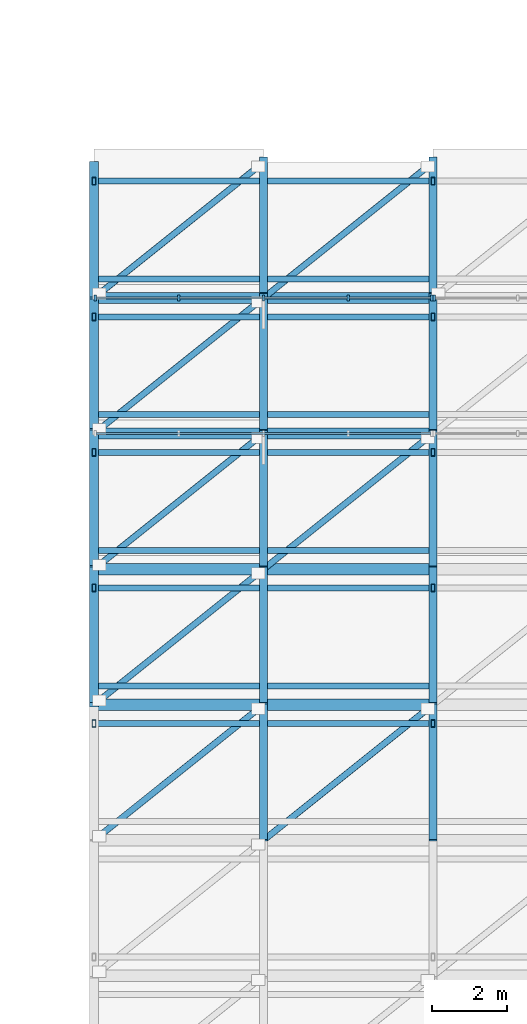
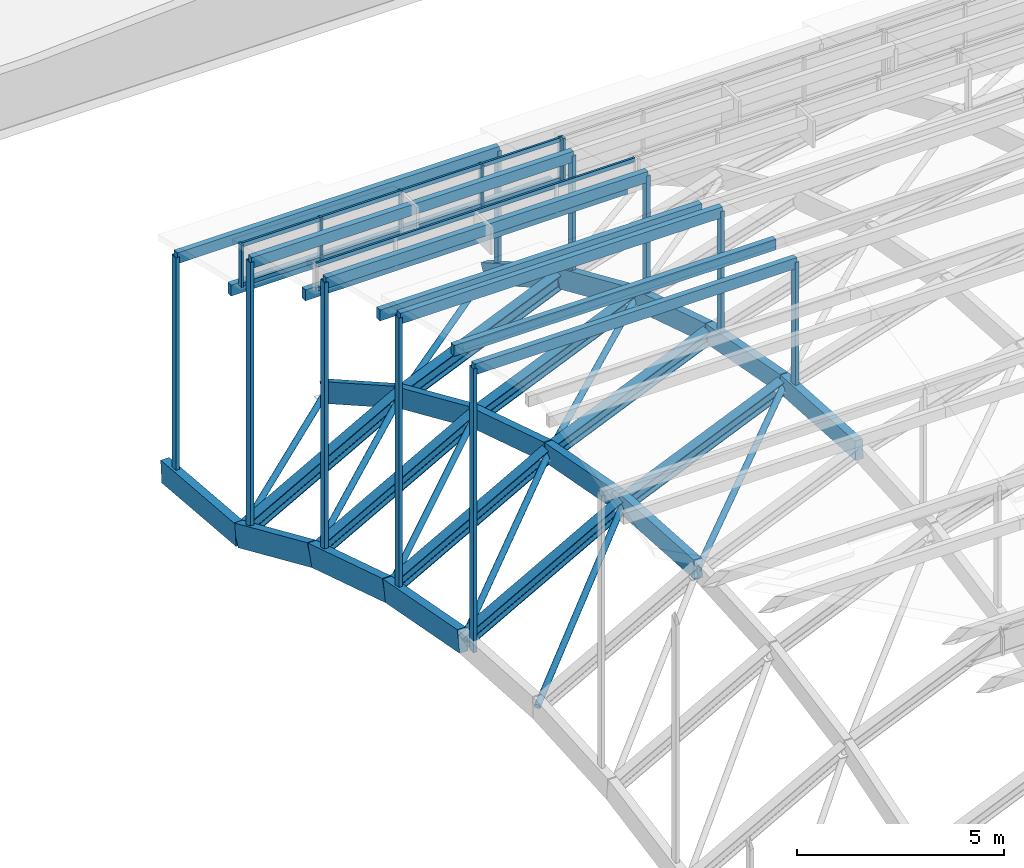
# One storey, part 27 of 69: 37 members, 22 beams, 3 elements without a shape of their own.
"""IFC4 building model written with IfcOpenShell, lengths in metres."""

from ifc_helpers import new_model, si_unit, direction, frame, origin, origin_2d, place, context, subcontext, project, spatial, rectangle, hollow_rectangle, hollow_circle, i_section, extrude, material, layer, layer_set, material_profile, profile_set, type_object, element, aggregate, save


model = new_model("IFC4")

# Units and contexts
model_context = context("Model", 3, precision=1e-05, world=origin(), true_north=direction((0.0, 1.0)))
body_context = subcontext(model_context, "Body", "Model", "MODEL_VIEW")
ifc_project = project(units=[si_unit("LENGTHUNIT", "METRE"), si_unit("AREAUNIT", "SQUARE_METRE"), si_unit("VOLUMEUNIT", "CUBIC_METRE"), si_unit("PLANEANGLEUNIT", "RADIAN"), si_unit("MASSUNIT", "GRAM", prefix="KILO")], contexts=[model_context])

# Site, building, storey
site_placement = place(None, origin())
site = spatial("IfcSite", under=ifc_project, at=site_placement, CompositionType="ELEMENT")
building_placement = place(site_placement, origin())
building = spatial("IfcBuilding", under=site, at=building_placement, Name="Montealbar Specialist Clinic", CompositionType="ELEMENT")
storey_placement = place(building_placement, frame((0.0, 0.0, 9.60009765625)))
storey = spatial("IfcBuildingStorey", under=building, at=storey_placement, Name="L02", CompositionType="ELEMENT", Elevation=9.60009765625)

# Beams
ifc_material_1 = material(Name="Steel S355", Category="steel")
ifc_material_profile_1 = material_profile(ifc_material_1, i_section(OverallWidth=0.300048828125, OverallDepth=0.360107421875, WebThickness=0.012451171875, FlangeThickness=0.0224609375, FilletRadius=0.027099609375, at=origin_2d()), Name="HEB 360", Category="steel")
ifc_profile_set_1 = profile_set([ifc_material_profile_1], Name="Steel S355")
beam_type_1 = type_object("IfcBeamType", Name="BM-GIRD-HEB360-EXT", PredefinedType="BEAM", material=ifc_profile_set_1)
beam_1_placement = place(storey_placement, frame((54.0, 66.60009765625, 4.02294921875), z_axis=(0.874579956814, 0.0, 0.484881324799), x_axis=(0.0, 1.0, 0.0)))
element("IfcBeam", 1, at=beam_1_placement, inside=storey, type_object=beam_type_1, Name="Gridshell Roof Truss Arch Rib X 6-0", PredefinedType="BEAM", context=body_context, shape_type="SweptSolid", body=[
    extrude(i_section(OverallWidth=0.300048828125, OverallDepth=0.360107421875, WebThickness=0.012451171875, FlangeThickness=0.0224609375, FilletRadius=0.027099609375, at=origin_2d()), origin(), (0.0, 0.0, 1.0), 5.145263671875),
])
beam_2_placement = place(storey_placement, frame((58.5, 66.60009765625, 6.517822265625), z_axis=(0.918284740285, 0.0, 0.395920618004), x_axis=(0.0, 1.0, 0.0)))
element("IfcBeam", 2, at=beam_2_placement, inside=storey, type_object=beam_type_1, Name="Gridshell Roof Truss Arch Rib X 6-1", PredefinedType="BEAM", context=body_context, shape_type="SweptSolid", body=[
    extrude(i_section(OverallWidth=0.300048828125, OverallDepth=0.360107421875, WebThickness=0.012451171875, FlangeThickness=0.0224609375, FilletRadius=0.027099609375, at=origin_2d()), origin(), (0.0, 0.0, 1.0), 4.900390625),
])
beam_3_placement = place(storey_placement, frame((54.0, 70.199951171875, 3.343017578125), z_axis=(0.874579956814, 0.0, 0.484881324799), x_axis=(0.0, 1.0, 0.0)))
element("IfcBeam", 3, at=beam_3_placement, inside=storey, type_object=beam_type_1, Name="Gridshell Roof Truss Arch Rib X 7-0", PredefinedType="BEAM", context=body_context, shape_type="SweptSolid", body=[
    extrude(i_section(OverallWidth=0.300048828125, OverallDepth=0.360107421875, WebThickness=0.012451171875, FlangeThickness=0.0224609375, FilletRadius=0.027099609375, at=origin_2d()), origin(), (0.0, 0.0, 1.0), 5.145263671875),
])
beam_4_placement = place(storey_placement, frame((58.5, 70.199951171875, 5.837890625), z_axis=(0.918302852681, 0.0, 0.395878606087), x_axis=(0.0, 1.0, 0.0)))
element("IfcBeam", 4, at=beam_4_placement, inside=storey, type_object=beam_type_1, Name="Gridshell Roof Truss Arch Rib X 7-1", PredefinedType="BEAM", context=body_context, shape_type="SweptSolid", body=[
    extrude(i_section(OverallWidth=0.300048828125, OverallDepth=0.360107421875, WebThickness=0.012451171875, FlangeThickness=0.0224609375, FilletRadius=0.027099609375, at=origin_2d()), origin(), (0.0, 0.0, 1.0), 4.900390625),
])
beam_5_placement = place(storey_placement, frame((54.0, 73.800048828125, 2.208984375), z_axis=(0.874579956814, 0.0, 0.484881324799), x_axis=(0.0, 1.0, 0.0)))
element("IfcBeam", 5, at=beam_5_placement, inside=storey, type_object=beam_type_1, Name="Gridshell Roof Truss Arch Rib X 8-0", PredefinedType="BEAM", context=body_context, shape_type="SweptSolid", body=[
    extrude(i_section(OverallWidth=0.300048828125, OverallDepth=0.360107421875, WebThickness=0.012451171875, FlangeThickness=0.0224609375, FilletRadius=0.027099609375, at=origin_2d()), origin(), (0.0, 0.0, 1.0), 5.145263671875),
])
beam_6_placement = place(storey_placement, frame((58.5, 73.800048828125, 4.703857421875), z_axis=(0.918302852681, 0.0, 0.395878606087), x_axis=(0.0, 1.0, 0.0)))
element("IfcBeam", 6, at=beam_6_placement, inside=storey, type_object=beam_type_1, Name="Gridshell Roof Truss Arch Rib X 8-1", PredefinedType="BEAM", context=body_context, shape_type="SweptSolid", body=[
    extrude(i_section(OverallWidth=0.300048828125, OverallDepth=0.360107421875, WebThickness=0.012451171875, FlangeThickness=0.0224609375, FilletRadius=0.027099609375, at=origin_2d()), origin(), (0.0, 0.0, 1.0), 4.900390625),
])
ifc_material_profile_2 = material_profile(ifc_material_1, i_section(OverallWidth=0.300048828125, OverallDepth=0.39990234375, WebThickness=0.013427734375, FlangeThickness=0.02392578125, FilletRadius=0.027099609375, at=origin_2d()), Name="HEB 400", Category="steel")
ifc_profile_set_2 = profile_set([ifc_material_profile_2], Name="Steel S355")
beam_type_2 = type_object("IfcBeamType", Name="BM-GIRD-HEB400-EXT", PredefinedType="BEAM", material=ifc_profile_set_2)
beam_7_placement = place(storey_placement, frame((54.0, 77.39990234375, 0.620849609375), z_axis=(0.874559834946, 0.0, 0.484917616816), x_axis=(0.0, 1.0, 0.0)))
element("IfcBeam", 7, at=beam_7_placement, inside=storey, type_object=beam_type_2, Name="Gridshell Roof Truss Arch Rib X 9-0", PredefinedType="BEAM", context=body_context, shape_type="SweptSolid", body=[
    extrude(i_section(OverallWidth=0.300048828125, OverallDepth=0.39990234375, WebThickness=0.013427734375, FlangeThickness=0.02392578125, FilletRadius=0.027099609375, at=origin_2d()), origin(), (0.0, 0.0, 1.0), 5.1455078125),
])
beam_8_placement = place(storey_placement, frame((58.5, 77.39990234375, 3.115966796875), z_axis=(0.918302852681, 0.0, 0.395878606087), x_axis=(0.0, 1.0, 0.0)))
element("IfcBeam", 8, at=beam_8_placement, inside=storey, type_object=beam_type_2, Name="Gridshell Roof Truss Arch Rib X 9-1", PredefinedType="BEAM", context=body_context, shape_type="SweptSolid", body=[
    extrude(i_section(OverallWidth=0.300048828125, OverallDepth=0.39990234375, WebThickness=0.013427734375, FlangeThickness=0.02392578125, FilletRadius=0.027099609375, at=origin_2d()), origin(), (0.0, 0.0, 1.0), 4.900390625),
])
ifc_material_2 = material(Name="Glulam GL28h", Category="wood")
ifc_material_profile_3 = material_profile(ifc_material_2, rectangle(XDim=0.219970703125, YDim=0.56005859375, at=origin_2d()), Name="GL28h 220x560", Category="wood")
ifc_profile_set_3 = profile_set([ifc_material_profile_3], Name="Glulam GL28h")
beam_type_3 = type_object("IfcBeamType", Name="BM-GL-220x560-EXT", PredefinedType="BEAM", material=ifc_profile_set_3)
beam_9_placement = place(storey_placement, frame((58.5, 63.0, 6.744873046875), z_axis=(0.0, 0.998017130092, -0.062942895089), x_axis=(-1.0, 0.0, 0.0)))
element("IfcBeam", 9, at=beam_9_placement, inside=storey, type_object=beam_type_3, Name="Gridshell Glulam Roof Truss Rib Y 1-5", PredefinedType="BEAM", context=body_context, shape_type="SweptSolid", body=[
    extrude(rectangle(XDim=0.219970703125, YDim=0.56005859375, at=origin_2d()), origin(), (0.0, 0.0, 1.0), 3.607177734375),
])
beam_10_placement = place(storey_placement, frame((58.5, 66.60009765625, 6.517822265625), z_axis=(0.0, 0.982626127294, -0.185596050493), x_axis=(-1.0, 0.0, 0.0)))
element("IfcBeam", 10, at=beam_10_placement, inside=storey, type_object=beam_type_3, Name="Gridshell Glulam Roof Truss Rib Y 1-6", PredefinedType="BEAM", context=body_context, shape_type="SweptSolid", body=[
    extrude(rectangle(XDim=0.219970703125, YDim=0.56005859375, at=origin_2d()), origin(), (0.0, 0.0, 1.0), 3.66357421875),
])
beam_11_placement = place(storey_placement, frame((58.5, 70.199951171875, 5.837890625), z_axis=(0.0, 0.953798460342, -0.300447161826), x_axis=(-1.0, 0.0, 0.0)))
element("IfcBeam", 11, at=beam_11_placement, inside=storey, type_object=beam_type_3, Name="Gridshell Glulam Roof Truss Rib Y 1-7", PredefinedType="BEAM", context=body_context, shape_type="SweptSolid", body=[
    extrude(rectangle(XDim=0.219970703125, YDim=0.56005859375, at=origin_2d()), origin(), (0.0, 0.0, 1.0), 3.7744140625),
])
beam_12_placement = place(storey_placement, frame((58.5, 73.800048828125, 4.703857421875), z_axis=(0.0, 0.914944084874, -0.403580625841), x_axis=(-1.0, 0.0, 0.0)))
element("IfcBeam", 12, at=beam_12_placement, inside=storey, type_object=beam_type_3, Name="Gridshell Glulam Roof Truss Rib Y 1-8", PredefinedType="BEAM", context=body_context, shape_type="SweptSolid", body=[
    extrude(rectangle(XDim=0.219970703125, YDim=0.56005859375, at=origin_2d()), origin(), (0.0, 0.0, 1.0), 3.9345703125),
])
beam_13_placement = place(storey_placement, frame((58.5, 77.39990234375, 3.115966796875), z_axis=(0.0, 0.869922637782, -0.493188203706), x_axis=(-1.0, 0.0, 0.0)))
element("IfcBeam", 13, at=beam_13_placement, inside=storey, type_object=beam_type_3, Name="Gridshell Glulam Roof Truss Rib Y 1-9", PredefinedType="BEAM", context=body_context, shape_type="SweptSolid", body=[
    extrude(rectangle(XDim=0.219970703125, YDim=0.56005859375, at=origin_2d()), origin(), (0.0, 0.0, 1.0), 4.138427734375),
])
beam_14_placement = place(storey_placement, frame((63.0, 63.0, 8.684814453125), z_axis=(0.0, 0.998021379395, -0.062875482264), x_axis=(-1.0, 0.0, 0.0)))
element("IfcBeam", 14, at=beam_14_placement, inside=storey, type_object=beam_type_3, Name="Gridshell Glulam Roof Truss Rib Y 2-5", PredefinedType="BEAM", context=body_context, shape_type="SweptSolid", body=[
    extrude(rectangle(XDim=0.219970703125, YDim=0.56005859375, at=origin_2d()), origin(), (0.0, 0.0, 1.0), 3.607177734375),
])
beam_15_placement = place(storey_placement, frame((63.0, 66.60009765625, 8.4580078125), z_axis=(0.0, 0.98261397186, -0.18566039509), x_axis=(-1.0, 0.0, 0.0)))
element("IfcBeam", 15, at=beam_15_placement, inside=storey, type_object=beam_type_3, Name="Gridshell Glulam Roof Truss Rib Y 2-6", PredefinedType="BEAM", context=body_context, shape_type="SweptSolid", body=[
    extrude(rectangle(XDim=0.219970703125, YDim=0.56005859375, at=origin_2d()), origin(), (0.0, 0.0, 1.0), 3.66357421875),
])
beam_16_placement = place(storey_placement, frame((63.0, 70.199951171875, 7.77783203125), z_axis=(0.0, 0.953798460342, -0.300447161826), x_axis=(-1.0, 0.0, 0.0)))
element("IfcBeam", 16, at=beam_16_placement, inside=storey, type_object=beam_type_3, Name="Gridshell Glulam Roof Truss Rib Y 2-7", PredefinedType="BEAM", context=body_context, shape_type="SweptSolid", body=[
    extrude(rectangle(XDim=0.219970703125, YDim=0.56005859375, at=origin_2d()), origin(), (0.0, 0.0, 1.0), 3.7744140625),
])
beam_17_placement = place(storey_placement, frame((63.0, 73.800048828125, 6.643798828125), z_axis=(0.0, 0.914944084874, -0.403580625841), x_axis=(-1.0, 0.0, 0.0)))
element("IfcBeam", 17, at=beam_17_placement, inside=storey, type_object=beam_type_3, Name="Gridshell Glulam Roof Truss Rib Y 2-8", PredefinedType="BEAM", context=body_context, shape_type="SweptSolid", body=[
    extrude(rectangle(XDim=0.219970703125, YDim=0.56005859375, at=origin_2d()), origin(), (0.0, 0.0, 1.0), 3.9345703125),
])
beam_18_placement = place(storey_placement, frame((63.0, 77.39990234375, 5.055908203125), z_axis=(0.0, 0.869922637782, -0.493188203706), x_axis=(-1.0, 0.0, 0.0)))
element("IfcBeam", 18, at=beam_18_placement, inside=storey, type_object=beam_type_3, Name="Gridshell Glulam Roof Truss Rib Y 2-9", PredefinedType="BEAM", context=body_context, shape_type="SweptSolid", body=[
    extrude(rectangle(XDim=0.219970703125, YDim=0.56005859375, at=origin_2d()), origin(), (0.0, 0.0, 1.0), 4.138427734375),
])
ifc_material_profile_4 = material_profile(ifc_material_2, rectangle(XDim=0.239990234375, YDim=0.639892578125, at=origin_2d()), Name="GL28h 240x640", Category="wood")
ifc_profile_set_4 = profile_set([ifc_material_profile_4], Name="Glulam GL28h")
beam_type_4 = type_object("IfcBeamType", Name="BM-GL-240x640-EXT", PredefinedType="BEAM", material=ifc_profile_set_4)
beam_19_placement = place(storey_placement, frame((54.0, 66.60009765625, 4.02294921875), z_axis=(0.0, 0.982626127294, -0.185596050493), x_axis=(-1.0, 0.0, 0.0)))
element("IfcBeam", 19, at=beam_19_placement, inside=storey, type_object=beam_type_4, Name="Gridshell Glulam Roof Truss Rib Y 0-6", PredefinedType="BEAM", context=body_context, shape_type="SweptSolid", body=[
    extrude(rectangle(XDim=0.239990234375, YDim=0.639892578125, at=origin_2d()), origin(), (0.0, 0.0, 1.0), 3.66357421875),
])
beam_20_placement = place(storey_placement, frame((54.0, 70.199951171875, 3.343017578125), z_axis=(0.0, 0.953798460342, -0.300447161826), x_axis=(-1.0, 0.0, 0.0)))
element("IfcBeam", 20, at=beam_20_placement, inside=storey, type_object=beam_type_4, Name="Gridshell Glulam Roof Truss Rib Y 0-7", PredefinedType="BEAM", context=body_context, shape_type="SweptSolid", body=[
    extrude(rectangle(XDim=0.239990234375, YDim=0.639892578125, at=origin_2d()), origin(), (0.0, 0.0, 1.0), 3.7744140625),
])
beam_21_placement = place(storey_placement, frame((54.0, 73.800048828125, 2.208984375), z_axis=(0.0, 0.914921171359, -0.403632568307), x_axis=(-1.0, 0.0, 0.0)))
element("IfcBeam", 21, at=beam_21_placement, inside=storey, type_object=beam_type_4, Name="Gridshell Glulam Roof Truss Rib Y 0-8", PredefinedType="BEAM", context=body_context, shape_type="SweptSolid", body=[
    extrude(rectangle(XDim=0.239990234375, YDim=0.639892578125, at=origin_2d()), origin(), (0.0, 0.0, 1.0), 3.9345703125),
])
beam_22_placement = place(storey_placement, frame((54.0, 77.39990234375, 0.620849609375), z_axis=(0.0, 0.996522415849, -0.083325114522), x_axis=(-1.0, 0.0, 0.0)))
element("IfcBeam", 22, at=beam_22_placement, inside=storey, type_object=beam_type_4, Name="Gridshell Glulam Roof Truss Rib Y 0-9", PredefinedType="BEAM", context=body_context, shape_type="SweptSolid", body=[
    extrude(rectangle(XDim=0.239990234375, YDim=0.639892578125, at=origin_2d()), origin(), (0.0, 0.0, 1.0), 3.612548828125),
])

# Curtain wall, members
ifc_material_3 = material(Name="Low-E double glazing", Category="glass")
ifc_layer_1 = layer(ifc_material_3, 0.199951171875, Name="Low-E double glazing", Category="glass")
ifc_layer_set_1 = layer_set([ifc_layer_1], Name="Low-E double glazing")
curtain_wall_type_1 = type_object("IfcCurtainWallType", Name="CW-TYPE-47", PredefinedType="NOTDEFINED", material=ifc_layer_set_1)
curtain_wall_1_placement = place(storey_placement, origin())
curtain_wall_1 = element("IfcCurtainWall", 23, at=curtain_wall_1_placement, inside=storey, type_object=curtain_wall_type_1, Name="Unitised Curtain Wall CW-L02-540-774-630-774-175", PredefinedType="NOTDEFINED")
ifc_material_4 = material(Name="Anodised aluminium EN AW-6063", Category="aluminium")
ifc_material_profile_5 = material_profile(ifc_material_4, rectangle(XDim=0.06005859375, YDim=0.159912109375, at=origin_2d()), Name="ALU 60x160", Category="aluminium")
ifc_profile_set_5 = profile_set([ifc_material_profile_5], Name="Anodised aluminium EN AW-6063")
member_type_1 = type_object("IfcMemberType", Name="CW-MUL-160", PredefinedType="MULLION", material=ifc_profile_set_5)
member_1_placement = place(storey_placement, frame((54.034912109375, 77.39990234375, 7.933837890625), z_axis=(0.0, 0.0, 1.0), x_axis=(1.0, 0.0, 0.0)))
member_1 = element("IfcMember", 24, at=member_1_placement, type_object=member_type_1, Name="Curtain Wall Mullion CW-L02-540-774-630-774-175-00", PredefinedType="MULLION", context=body_context, shape_type="SweptSolid", body=[
    extrude(rectangle(XDim=0.06005859375, YDim=0.159912109375, at=origin_2d()), origin(), (0.0, 0.0, 1.0), 1.257080078125),
])
member_2_placement = place(storey_placement, frame((56.25, 77.39990234375, 7.933837890625), z_axis=(0.0, 0.0, 1.0), x_axis=(1.0, 0.0, 0.0)))
member_2 = element("IfcMember", 25, at=member_2_placement, type_object=member_type_1, Name="Curtain Wall Mullion CW-L02-540-774-630-774-175-01", PredefinedType="MULLION", context=body_context, shape_type="SweptSolid", body=[
    extrude(rectangle(XDim=0.06005859375, YDim=0.159912109375, at=origin_2d()), origin(), (0.0, 0.0, 1.0), 1.257080078125),
])
member_3_placement = place(storey_placement, frame((58.5, 77.39990234375, 7.933837890625), z_axis=(0.0, 0.0, 1.0), x_axis=(1.0, 0.0, 0.0)))
member_3 = element("IfcMember", 26, at=member_3_placement, type_object=member_type_1, Name="Curtain Wall Mullion CW-L02-540-774-630-774-175-02", PredefinedType="MULLION", context=body_context, shape_type="SweptSolid", body=[
    extrude(rectangle(XDim=0.06005859375, YDim=0.159912109375, at=origin_2d()), origin(), (0.0, 0.0, 1.0), 1.257080078125),
])
member_4_placement = place(storey_placement, frame((60.75, 77.39990234375, 7.933837890625), z_axis=(0.0, 0.0, 1.0), x_axis=(1.0, 0.0, 0.0)))
member_4 = element("IfcMember", 27, at=member_4_placement, type_object=member_type_1, Name="Curtain Wall Mullion CW-L02-540-774-630-774-175-03", PredefinedType="MULLION", context=body_context, shape_type="SweptSolid", body=[
    extrude(rectangle(XDim=0.06005859375, YDim=0.159912109375, at=origin_2d()), origin(), (0.0, 0.0, 1.0), 1.257080078125),
])
member_5_placement = place(storey_placement, frame((62.965087890625, 77.39990234375, 7.933837890625), z_axis=(0.0, 0.0, 1.0), x_axis=(1.0, 0.0, 0.0)))
member_5 = element("IfcMember", 28, at=member_5_placement, type_object=member_type_1, Name="Curtain Wall Mullion CW-L02-540-774-630-774-175-04", PredefinedType="MULLION", context=body_context, shape_type="SweptSolid", body=[
    extrude(rectangle(XDim=0.06005859375, YDim=0.159912109375, at=origin_2d()), origin(), (0.0, 0.0, 1.0), 1.257080078125),
])

# Curtain wall, member
curtain_wall_2_placement = place(storey_placement, origin())
curtain_wall_2 = element("IfcCurtainWall", 29, at=curtain_wall_2_placement, inside=storey, type_object=curtain_wall_type_1, Name="Unitised Curtain Wall CW-L02-630-774-720-774-175", PredefinedType="NOTDEFINED")
member_6_placement = place(storey_placement, frame((63.034912109375, 77.39990234375, 7.933837890625), z_axis=(0.0, 0.0, 1.0), x_axis=(1.0, 0.0, 0.0)))
member_6 = element("IfcMember", 30, at=member_6_placement, type_object=member_type_1, Name="Curtain Wall Mullion CW-L02-630-774-720-774-175-00", PredefinedType="MULLION", context=body_context, shape_type="SweptSolid", body=[
    extrude(rectangle(XDim=0.06005859375, YDim=0.159912109375, at=origin_2d()), origin(), (0.0, 0.0, 1.0), 1.257080078125),
])
aggregate(curtain_wall_2, [member_6])

# Curtain wall, members
ifc_layer_2 = layer(ifc_material_3, 0.199951171875, Name="Low-E double glazing", Category="glass")
ifc_layer_set_2 = layer_set([ifc_layer_2], Name="Low-E double glazing")
curtain_wall_type_2 = type_object("IfcCurtainWallType", Name="CW-TYPE-48", PredefinedType="NOTDEFINED", material=ifc_layer_set_2)
curtain_wall_3_placement = place(storey_placement, origin())
curtain_wall_3 = element("IfcCurtainWall", 31, at=curtain_wall_3_placement, inside=storey, type_object=curtain_wall_type_2, Name="Unitised Curtain Wall CW-L02-540-738-630-738-196", PredefinedType="NOTDEFINED")
ifc_material_5 = material(Name="Powder-coated aluminium", Category="aluminium")
ifc_material_profile_6 = material_profile(ifc_material_5, rectangle(XDim=0.06005859375, YDim=0.1201171875, at=origin_2d()), Name="ALU 60x120", Category="aluminium")
ifc_profile_set_6 = profile_set([ifc_material_profile_6], Name="Powder-coated aluminium")
member_type_2 = type_object("IfcMemberType", Name="CW-TRN-120", PredefinedType="USERDEFINED", material=ifc_profile_set_6)
member_7_placement = place(storey_placement, frame((54.050048828125, 73.800048828125, 10.014892578125), z_axis=(1.0, 0.0, 0.0), x_axis=(0.0, 1.0, 0.0)))
member_7 = element("IfcMember", 32, at=member_7_placement, type_object=member_type_2, Name="Curtain Wall Transom CW-L02-540-738-630-738-196-00", ObjectType="TRANSOM", PredefinedType="USERDEFINED", context=body_context, shape_type="SweptSolid", body=[
    extrude(rectangle(XDim=0.06005859375, YDim=0.1201171875, at=origin_2d()), origin(), (0.0, 0.0, 1.0), 8.89990234375),
])
member_8_placement = place(storey_placement, frame((54.050048828125, 73.800048828125, 10.739013671875), z_axis=(1.0, 0.0, 0.0), x_axis=(0.0, 1.0, 0.0)))
member_8 = element("IfcMember", 33, at=member_8_placement, type_object=member_type_2, Name="Curtain Wall Transom CW-L02-540-738-630-738-196-01", ObjectType="TRANSOM", PredefinedType="USERDEFINED", context=body_context, shape_type="SweptSolid", body=[
    extrude(rectangle(XDim=0.06005859375, YDim=0.1201171875, at=origin_2d()), origin(), (0.0, 0.0, 1.0), 8.89990234375),
])
aggregate(curtain_wall_3, [member_7, member_8])

# Member
member_9_placement = place(storey_placement, frame((54.050048828125, 77.39990234375, 7.973876953125), z_axis=(1.0, 0.0, 0.0), x_axis=(0.0, 1.0, 0.0)))
member_9 = element("IfcMember", 34, at=member_9_placement, type_object=member_type_2, Name="Curtain Wall Transom CW-L02-540-774-630-774-175-00", ObjectType="TRANSOM", PredefinedType="USERDEFINED", context=body_context, shape_type="SweptSolid", body=[
    extrude(rectangle(XDim=0.06005859375, YDim=0.1201171875, at=origin_2d()), origin(), (0.0, 0.0, 1.0), 8.89990234375),
])

member_10_placement = place(storey_placement, frame((54.050048828125, 77.39990234375, 9.15087890625), z_axis=(1.0, 0.0, 0.0), x_axis=(0.0, 1.0, 0.0)))
member_10 = element("IfcMember", 35, at=member_10_placement, type_object=member_type_2, Name="Curtain Wall Transom CW-L02-540-774-630-774-175-01", ObjectType="TRANSOM", PredefinedType="USERDEFINED", context=body_context, shape_type="SweptSolid", body=[
    extrude(rectangle(XDim=0.06005859375, YDim=0.1201171875, at=origin_2d()), origin(), (0.0, 0.0, 1.0), 8.89990234375),
])

aggregate(curtain_wall_1, [member_1, member_2, member_3, member_4, member_5, member_9, member_10])

# Members
ifc_material_profile_7 = material_profile(ifc_material_1, hollow_circle(Radius=0.084228515625, WallThickness=0.008056640625, at=origin_2d()), Name="CHS 168.3x8.0", Category="steel")
ifc_profile_set_7 = profile_set([ifc_material_profile_7], Name="Steel S355")
member_type_3 = type_object("IfcMemberType", Name="MB-GS-DIAG-EXT", PredefinedType="BRACE", material=ifc_profile_set_7)
member_11_placement = place(storey_placement, frame((54.0, 63.0, 4.25), z_axis=(0.726622365972, 0.581313661492, 0.366188973389), x_axis=(-0.624705380279, 0.780860543151, 0.0)))
element("IfcMember", 36, at=member_11_placement, inside=storey, type_object=member_type_3, Name="Gridshell Roof Brace 0-5", PredefinedType="BRACE", context=body_context, shape_type="SweptSolid", body=[
    extrude(hollow_circle(Radius=0.084228515625, WallThickness=0.008056640625, at=origin_2d()), origin(), (0.0, 0.0, 1.0), 6.193115234375),
])
member_12_placement = place(storey_placement, frame((54.0, 66.60009765625, 4.02294921875), z_axis=(0.744815123688, 0.595827853667, 0.300399068441), x_axis=(-0.624679547852, 0.780881208953, 0.0)))
element("IfcMember", 37, at=member_12_placement, inside=storey, type_object=member_type_3, Name="Gridshell Roof Brace 0-6", PredefinedType="BRACE", context=body_context, shape_type="SweptSolid", body=[
    extrude(hollow_circle(Radius=0.084228515625, WallThickness=0.008056640625, at=origin_2d()), origin(), (0.0, 0.0, 1.0), 6.041748046875),
])
member_13_placement = place(storey_placement, frame((54.0, 70.199951171875, 3.343017578125), z_axis=(0.759959639654, 0.607984203903, 0.229818523841), x_axis=(-0.624705380279, 0.780860543151, 0.0)))
element("IfcMember", 38, at=member_13_placement, inside=storey, type_object=member_type_3, Name="Gridshell Roof Brace 0-7", PredefinedType="BRACE", context=body_context, shape_type="SweptSolid", body=[
    extrude(hollow_circle(Radius=0.084228515625, WallThickness=0.008056640625, at=origin_2d()), origin(), (0.0, 0.0, 1.0), 5.92138671875),
])
member_14_placement = place(storey_placement, frame((54.0, 73.800048828125, 2.208984375), z_axis=(0.771385674727, 0.617083429571, 0.155474054992), x_axis=(-0.624679547852, 0.780881208953, 0.0)))
element("IfcMember", 39, at=member_14_placement, inside=storey, type_object=member_type_3, Name="Gridshell Roof Brace 0-8", PredefinedType="BRACE", context=body_context, shape_type="SweptSolid", body=[
    extrude(hollow_circle(Radius=0.084228515625, WallThickness=0.008056640625, at=origin_2d()), origin(), (0.0, 0.0, 1.0), 5.833740234375),
])
member_15_placement = place(storey_placement, frame((54.0, 77.39990234375, 0.620849609375), z_axis=(0.778447557676, 0.622774939534, 0.078554278281), x_axis=(-0.624705380279, 0.780860543151, 0.0)))
element("IfcMember", 40, at=member_15_placement, inside=storey, type_object=member_type_3, Name="Gridshell Roof Brace 0-9", PredefinedType="BRACE", context=body_context, shape_type="SweptSolid", body=[
    extrude(hollow_circle(Radius=0.084228515625, WallThickness=0.008056640625, at=origin_2d()), origin(), (0.0, 0.0, 1.0), 5.78076171875),
])
member_16_placement = place(storey_placement, frame((58.5, 63.0, 6.744873046875), z_axis=(0.748488603241, 0.598807125835, 0.284947077308), x_axis=(-0.624705380279, 0.780860543151, 0.0)))
element("IfcMember", 41, at=member_16_placement, inside=storey, type_object=member_type_3, Name="Gridshell Roof Brace 1-5", PredefinedType="BRACE", context=body_context, shape_type="SweptSolid", body=[
    extrude(hollow_circle(Radius=0.084228515625, WallThickness=0.008056640625, at=origin_2d()), origin(), (0.0, 0.0, 1.0), 6.01220703125),
])
member_17_placement = place(storey_placement, frame((58.5, 70.199951171875, 5.837890625), z_axis=(0.773335257797, 0.618684988687, 0.138497161783), x_axis=(-0.624705380279, 0.780860543151, 0.0)))
element("IfcMember", 42, at=member_17_placement, inside=storey, type_object=member_type_3, Name="Gridshell Roof Brace 1-7", PredefinedType="BRACE", context=body_context, shape_type="SweptSolid", body=[
    extrude(hollow_circle(Radius=0.084228515625, WallThickness=0.008056640625, at=origin_2d()), origin(), (0.0, 0.0, 1.0), 5.81884765625),
])
member_18_placement = place(storey_placement, frame((58.5, 77.39990234375, 3.115966796875), z_axis=(0.78074046997, 0.624609319128, -0.0175361629), x_axis=(-0.624705380279, 0.780860543151, 0.0)))
element("IfcMember", 43, at=member_18_placement, inside=storey, type_object=member_type_3, Name="Gridshell Roof Brace 1-9", PredefinedType="BRACE", context=body_context, shape_type="SweptSolid", body=[
    extrude(hollow_circle(Radius=0.084228515625, WallThickness=0.008056640625, at=origin_2d()), origin(), (0.0, 0.0, 1.0), 5.763671875),
])
ifc_material_profile_8 = material_profile(ifc_material_2, rectangle(XDim=0.159912109375, YDim=0.320068359375, at=origin_2d()), Name="GL28h 160x320", Category="wood")
ifc_profile_set_8 = profile_set([ifc_material_profile_8], Name="Glulam GL28h")
member_type_4 = type_object("IfcMemberType", Name="MB-GS-PURLIN-GL-EXT", PredefinedType="PURLIN", material=ifc_profile_set_8)
for number, where, z_axis, x_axis, name in (
    (44, (54.0, 66.10009765625, 12.367919921875), (1.0, 0.0, 0.0), (0.0, 1.0, 0.0), "Gridshell Glulam Purlin 6-1-2"),
    (45, (54.0, 67.10009765625, 12.31201171875), (1.0, 0.0, 0.0), (0.0, 1.0, 0.0), "Gridshell Glulam Purlin 7-1-1"),
    (46, (54.0, 69.699951171875, 11.68798828125), (1.0, 0.0, 0.0), (0.0, 1.0, 0.0), "Gridshell Glulam Purlin 7-1-2"),
    (47, (54.0, 70.699951171875, 11.177978515625), (1.0, 0.0, 0.0), (0.0, 1.0, 0.0), "Gridshell Glulam Purlin 8-1-1"),
    (48, (54.0, 73.300048828125, 10.553955078125), (1.0, 0.0, 0.0), (0.0, 1.0, 0.0), "Gridshell Glulam Purlin 8-1-2"),
    (49, (54.0, 74.300048828125, 9.58984375), (1.0, 0.0, 0.0), (0.0, 1.0, 0.0), "Gridshell Glulam Purlin 9-1-1"),
    (50, (54.0, 76.89990234375, 8.9658203125), (1.0, 0.0, 0.0), (0.0, 1.0, 0.0), "Gridshell Glulam Purlin 9-1-2"),
    (51, (54.0, 77.89990234375, 7.548828125), (1.0, 0.0, 0.0), (0.0, 1.0, 0.0), "Gridshell Glulam Purlin 10-1-1"),
    (52, (54.0, 80.5, 6.9248046875), (1.0, 0.0, 0.0), (0.0, 1.0, 0.0), "Gridshell Glulam Purlin 10-1-2"),
):
    element("IfcMember", number, at=place(storey_placement, frame(where, z_axis=z_axis, x_axis=x_axis)), inside=storey, type_object=member_type_4, Name=name, PredefinedType="PURLIN", context=body_context, shape_type="SweptSolid", body=[
        extrude(rectangle(XDim=0.159912109375, YDim=0.320068359375, at=origin_2d()), origin(), (0.0, 0.0, 1.0), 9.0),
    ])
ifc_material_profile_9 = material_profile(ifc_material_1, hollow_rectangle(XDim=0.10009765625, YDim=0.199951171875, WallThickness=0.008056640625, at=origin_2d()), Name="RHS 200x100x8", Category="steel")
ifc_profile_set_9 = profile_set([ifc_material_profile_9], Name="Steel S355")
member_type_5 = type_object("IfcMemberType", Name="MB-GS-PURLIN-ST-EXT", PredefinedType="PURLIN", material=ifc_profile_set_9)
member_19_placement = place(storey_placement, frame((54.0, 66.10009765625, 4.02294921875), z_axis=(0.0, 0.0, 1.0), x_axis=(1.0, 0.0, 0.0)))
element("IfcMember", 53, at=member_19_placement, inside=storey, type_object=member_type_5, Name="Gridshell Monitor Post 6-0", PredefinedType="PURLIN", context=body_context, shape_type="SweptSolid", body=[
    extrude(hollow_rectangle(XDim=0.10009765625, YDim=0.199951171875, WallThickness=0.008056640625, at=origin_2d()), origin(), (0.0, 0.0, 1.0), 8.386962890625),
])
member_20_placement = place(storey_placement, frame((63.0, 66.10009765625, 8.4580078125), z_axis=(0.0, 0.0, 1.0), x_axis=(1.0, 0.0, 0.0)))
element("IfcMember", 54, at=member_20_placement, inside=storey, type_object=member_type_5, Name="Gridshell Monitor Post 6-2", PredefinedType="PURLIN", context=body_context, shape_type="SweptSolid", body=[
    extrude(hollow_rectangle(XDim=0.10009765625, YDim=0.199951171875, WallThickness=0.008056640625, at=origin_2d()), origin(), (0.0, 0.0, 1.0), 3.951904296875),
])
member_21_placement = place(storey_placement, frame((54.0, 69.699951171875, 3.343017578125), z_axis=(0.0, 0.0, 1.0), x_axis=(1.0, 0.0, 0.0)))
element("IfcMember", 55, at=member_21_placement, inside=storey, type_object=member_type_5, Name="Gridshell Monitor Post 7-0", PredefinedType="PURLIN", context=body_context, shape_type="SweptSolid", body=[
    extrude(hollow_rectangle(XDim=0.10009765625, YDim=0.199951171875, WallThickness=0.008056640625, at=origin_2d()), origin(), (0.0, 0.0, 1.0), 8.386962890625),
])
member_22_placement = place(storey_placement, frame((63.0, 69.699951171875, 7.77783203125), z_axis=(0.0, 0.0, 1.0), x_axis=(1.0, 0.0, 0.0)))
element("IfcMember", 56, at=member_22_placement, inside=storey, type_object=member_type_5, Name="Gridshell Monitor Post 7-2", PredefinedType="PURLIN", context=body_context, shape_type="SweptSolid", body=[
    extrude(hollow_rectangle(XDim=0.10009765625, YDim=0.199951171875, WallThickness=0.008056640625, at=origin_2d()), origin(), (0.0, 0.0, 1.0), 3.9521484375),
])
member_23_placement = place(storey_placement, frame((54.0, 73.300048828125, 2.208984375), z_axis=(0.0, 0.0, 1.0), x_axis=(1.0, 0.0, 0.0)))
element("IfcMember", 57, at=member_23_placement, inside=storey, type_object=member_type_5, Name="Gridshell Monitor Post 8-0", PredefinedType="PURLIN", context=body_context, shape_type="SweptSolid", body=[
    extrude(hollow_rectangle(XDim=0.10009765625, YDim=0.199951171875, WallThickness=0.008056640625, at=origin_2d()), origin(), (0.0, 0.0, 1.0), 8.386962890625),
])
member_24_placement = place(storey_placement, frame((63.0, 73.300048828125, 6.643798828125), z_axis=(0.0, 0.0, 1.0), x_axis=(1.0, 0.0, 0.0)))
element("IfcMember", 58, at=member_24_placement, inside=storey, type_object=member_type_5, Name="Gridshell Monitor Post 8-2", PredefinedType="PURLIN", context=body_context, shape_type="SweptSolid", body=[
    extrude(hollow_rectangle(XDim=0.10009765625, YDim=0.199951171875, WallThickness=0.008056640625, at=origin_2d()), origin(), (0.0, 0.0, 1.0), 3.9521484375),
])
member_25_placement = place(storey_placement, frame((54.0, 76.89990234375, 0.620849609375), z_axis=(0.0, 0.0, 1.0), x_axis=(1.0, 0.0, 0.0)))
element("IfcMember", 59, at=member_25_placement, inside=storey, type_object=member_type_5, Name="Gridshell Monitor Post 9-0", PredefinedType="PURLIN", context=body_context, shape_type="SweptSolid", body=[
    extrude(hollow_rectangle(XDim=0.10009765625, YDim=0.199951171875, WallThickness=0.008056640625, at=origin_2d()), origin(), (0.0, 0.0, 1.0), 8.386962890625),
])
member_26_placement = place(storey_placement, frame((63.0, 76.89990234375, 5.055908203125), z_axis=(0.0, 0.0, 1.0), x_axis=(1.0, 0.0, 0.0)))
element("IfcMember", 60, at=member_26_placement, inside=storey, type_object=member_type_5, Name="Gridshell Monitor Post 9-2", PredefinedType="PURLIN", context=body_context, shape_type="SweptSolid", body=[
    extrude(hollow_rectangle(XDim=0.10009765625, YDim=0.199951171875, WallThickness=0.008056640625, at=origin_2d()), origin(), (0.0, 0.0, 1.0), 3.951904296875),
])
member_27_placement = place(storey_placement, frame((54.0, 80.5, 0.31982421875), z_axis=(0.0, 0.0, 1.0), x_axis=(1.0, 0.0, 0.0)))
element("IfcMember", 61, at=member_27_placement, inside=storey, type_object=member_type_5, Name="Gridshell Monitor Post 10-0", PredefinedType="PURLIN", context=body_context, shape_type="SweptSolid", body=[
    extrude(hollow_rectangle(XDim=0.10009765625, YDim=0.199951171875, WallThickness=0.008056640625, at=origin_2d()), origin(), (0.0, 0.0, 1.0), 6.64697265625),
])
member_28_placement = place(storey_placement, frame((63.0, 80.5, 3.014892578125), z_axis=(0.0, 0.0, 1.0), x_axis=(1.0, 0.0, 0.0)))
element("IfcMember", 62, at=member_28_placement, inside=storey, type_object=member_type_5, Name="Gridshell Monitor Post 10-2", PredefinedType="PURLIN", context=body_context, shape_type="SweptSolid", body=[
    extrude(hollow_rectangle(XDim=0.10009765625, YDim=0.199951171875, WallThickness=0.008056640625, at=origin_2d()), origin(), (0.0, 0.0, 1.0), 3.951904296875),
])

save(model, "model.ifc")
